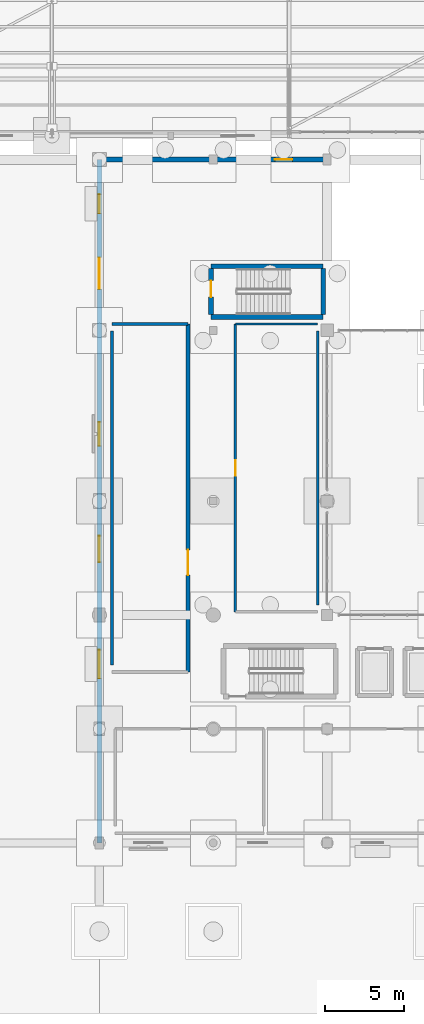
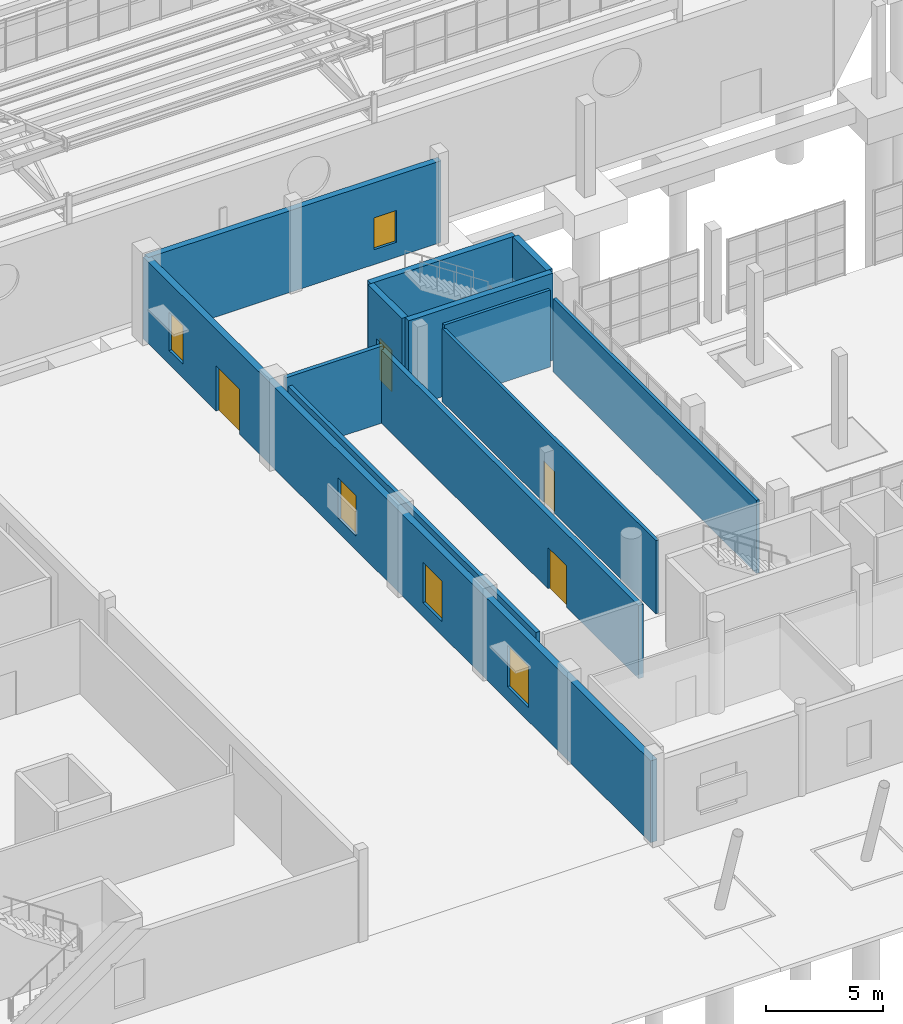
# One storey, part 254 of 285: 12 walls, 5 windows, 4 doors, 9 openings.
"""IFC4 building model written with IfcOpenShell, lengths in metres."""

from ifc_helpers import new_model, si_unit, direction, frame, frame_2d, origin, place, context, subcontext, project, spatial, rectangle, extrude, material, layer, layer_set, type_object, element, fill, save


model = new_model("IFC4")

# Units and contexts
model_context = context("Model", 3, precision=1e-05, world=origin(), true_north=direction((0.0, 1.0)))
body_context = subcontext(model_context, "Body", "Model", "MODEL_VIEW")
ifc_project = project(units=[si_unit("LENGTHUNIT", "METRE"), si_unit("AREAUNIT", "SQUARE_METRE"), si_unit("VOLUMEUNIT", "CUBIC_METRE"), si_unit("PLANEANGLEUNIT", "RADIAN"), si_unit("MASSUNIT", "GRAM", prefix="KILO")], contexts=[model_context])

# Site, building, storey
site_placement = place(None, origin())
site = spatial("IfcSite", under=ifc_project, at=site_placement, CompositionType="ELEMENT")
building_placement = place(site_placement, origin())
building = spatial("IfcBuilding", under=site, at=building_placement, Name="Solanera Park Tramway Depot", CompositionType="ELEMENT")
storey_placement = place(building_placement, origin())
storey = spatial("IfcBuildingStorey", under=building, at=storey_placement, Name="L00", CompositionType="ELEMENT", Elevation=0.0)

# Walls
ifc_material_1 = material(Name="Concrete N32 (C32/40)", Category="concrete")
ifc_layer_1 = layer(ifc_material_1, 0.14990234375)
ifc_layer_set_1 = layer_set([ifc_layer_1], Name="Concrete N32 (C32/40)")
wall_type_1 = type_object("IfcWallType", Name="Acoustic Partition 150", PredefinedType="PARTITIONING", material=ifc_layer_set_1)
wall_1_placement = place(storey_placement, frame((116.60009765625, 43.60009765625, 0.0), z_axis=(0.0, 0.0, 1.0), x_axis=(1.0, 0.0, 0.0)))
element("IfcWall", 1, at=wall_1_placement, inside=storey, type_object=wall_type_1, Name="Crew Bicycle Hub and Changing Lockers Dividing Wall", PredefinedType="PARTITIONING", context=body_context, shape_type="SweptSolid", body=[
    extrude(rectangle(XDim=5.199951171875, YDim=0.14990234375, at=frame_2d((2.60009765625, 0.0))), origin(), (0.0, 0.0, 1.0), 4.0),
])
wall_2_placement = place(storey_placement, frame((121.800048828125, 25.85009765625, 0.0), z_axis=(0.0, 0.0, 1.0), x_axis=(0.0, 1.0, 0.0)))
element("IfcWall", 2, at=wall_2_placement, inside=storey, type_object=wall_type_1, Name="Crew Bicycle Hub and Changing Lockers Dividing Wall", PredefinedType="PARTITIONING", context=body_context, shape_type="SweptSolid", body=[
    extrude(rectangle(XDim=17.2998046875, YDim=0.14990234375, at=frame_2d((8.64990234375, 0.0))), origin(), (0.0, 0.0, 1.0), 3.806884765625),
])

# Wall, opening, door
wall_3_placement = place(storey_placement, frame((116.60009765625, 43.60009765625, 0.0), z_axis=(0.0, 0.0, 1.0), x_axis=(0.0, -1.0, 0.0)))
wall_3 = element("IfcWall", 3, at=wall_3_placement, inside=storey, type_object=wall_type_1, Name="Crew Bicycle Hub and Changing Lockers Corridor Wall", PredefinedType="PARTITIONING", context=body_context, shape_type="SweptSolid", body=[
    extrude(rectangle(XDim=18.2001953125, YDim=0.14990234375, at=frame_2d((9.10009765625, 0.0))), origin(), (0.0, 0.0, 1.0), 3.806884765625),
])
opening_1_placement = place(wall_3_placement, frame((8.614990234375, 0.0, 0.0)))
opening_1 = element("IfcOpeningElement", 4, at=opening_1_placement, cuts=wall_3, Name="Opening ID-O1R", PredefinedType="OPENING", context=body_context, shape_type="SweptSolid", body=[
    extrude(rectangle(XDim=0.969970703125, YDim=2.14990234375, at=frame_2d((0.48486328125, 1.074951171875))), frame((0.0, 0.0849609375, 0.0), z_axis=(0.0, -1.0, 0.0), x_axis=(1.0, 0.0, 0.0)), (0.0, 0.0, 1.0), 0.169921875),
])
ifc_material_2 = material(Name="Fire-rated steel or solid-core hardwood door leaf", Category="steel")
door_type_1 = type_object("IfcDoorType", Name="Office Single Door R 970x2150", OperationType="SINGLE_SWING_RIGHT", PredefinedType="DOOR", material=ifc_material_2)
door_1_placement = place(opening_1_placement, origin())
door_1 = element("IfcDoor", 5, at=door_1_placement, inside=storey, type_object=door_type_1, Name="Crew Bicycle Hub and Changing Lockers Door", OperationType="SINGLE_SWING_RIGHT", OverallHeight=2.14990234375, OverallWidth=0.969970703125, PredefinedType="DOOR", context=body_context, shape_type="SweptSolid", body=[
    extrude(rectangle(XDim=0.969970703125, YDim=2.14990234375, at=frame_2d((0.48486328125, 1.074951171875))), frame((0.0, 0.02490234375, 0.0), z_axis=(0.0, -1.0, 0.0), x_axis=(1.0, 0.0, 0.0)), (0.0, 0.0, 1.0), 0.050048828125),
])
fill(opening_1, door_1)

# Walls
ifc_material_3 = material(Name="Concrete N40 (C40/50)", Category="concrete")
ifc_layer_2 = layer(ifc_material_3, 0.300048828125)
ifc_layer_set_2 = layer_set([ifc_layer_2], Name="Concrete N40 (C40/50)")
wall_type_2 = type_object("IfcWallType", Name="Core Shear Wall 300", PredefinedType="SHEAR", material=ifc_layer_set_2)
for number, where, z_axis, x_axis, name in (
    (6, (115.050048828125, 44.050048828125, 0.0), (0.0, 0.0, 1.0), (1.0, 0.0, 0.0), "ST-07 L00 Shear Core Wall S"),
    (7, (122.14990234375, 47.25, 0.0), (0.0, 0.0, 1.0), (-1.0, 0.0, 0.0), "ST-07 L00 Shear Core Wall N"),
):
    element("IfcWall", number, at=place(storey_placement, frame(where, z_axis=z_axis, x_axis=x_axis)), inside=storey, type_object=wall_type_2, Name=name, PredefinedType="SHEAR", context=body_context, shape_type="SweptSolid", body=[
        extrude(rectangle(XDim=7.099853515625, YDim=0.300048828125, at=frame_2d((3.5498046875, 0.0))), origin(), (0.0, 0.0, 1.0), 4.52490234375),
    ])
wall_4_placement = place(storey_placement, frame((122.14990234375, 44.199951171875, 0.0), z_axis=(0.0, 0.0, 1.0), x_axis=(0.0, 1.0, 0.0)))
element("IfcWall", 8, at=wall_4_placement, inside=storey, type_object=wall_type_2, Name="ST-07 L00 Shear Core Wall E", PredefinedType="SHEAR", context=body_context, shape_type="SweptSolid", body=[
    extrude(rectangle(XDim=2.900146484375, YDim=0.300048828125, at=frame_2d((1.4501953125, 0.0))), origin(), (0.0, 0.0, 1.0), 4.52490234375),
])

# Wall, opening, door
wall_5_placement = place(storey_placement, frame((115.050048828125, 47.10009765625, 0.0), z_axis=(0.0, 0.0, 1.0), x_axis=(0.0, -1.0, 0.0)))
wall_5 = element("IfcWall", 9, at=wall_5_placement, inside=storey, type_object=wall_type_2, Name="ST-07 L00 Shear Core Wall W", PredefinedType="SHEAR", context=body_context, shape_type="SweptSolid", body=[
    extrude(rectangle(XDim=2.900146484375, YDim=0.300048828125, at=frame_2d((1.4501953125, 0.0))), origin(), (0.0, 0.0, 1.0), 4.52490234375),
])
opening_2_placement = place(wall_5_placement, frame((0.75, 0.0, 0.0)))
opening_2 = element("IfcOpeningElement", 10, at=opening_2_placement, cuts=wall_5, Name="Opening FD-S1L", PredefinedType="OPENING", context=body_context, shape_type="SweptSolid", body=[
    extrude(rectangle(XDim=1.050048828125, YDim=2.14990234375, at=frame_2d((0.52490234375, 1.074951171875))), frame((0.0, 0.16015625, 0.0), z_axis=(0.0, -1.0, 0.0), x_axis=(1.0, 0.0, 0.0)), (0.0, 0.0, 1.0), 0.320068359375),
])
ifc_material_4 = material(Name="Fire-rated steel or solid-core hardwood door leaf", Category="steel")
door_type_2 = type_object("IfcDoorType", Name="Stair Fire Door L 1050x2150", OperationType="SINGLE_SWING_LEFT", PredefinedType="DOOR", material=ifc_material_4)
door_2_placement = place(opening_2_placement, frame((1.050048828125, 0.0, 0.0), z_axis=(0.0, 0.0, 1.0), x_axis=(-1.0, 0.0, 0.0)))
door_2 = element("IfcDoor", 11, at=door_2_placement, inside=storey, type_object=door_type_2, Name="ST-07 L00 Stair Fire Door", OperationType="SINGLE_SWING_LEFT", OverallHeight=2.14990234375, OverallWidth=1.050048828125, PredefinedType="DOOR", context=body_context, shape_type="SweptSolid", body=[
    extrude(rectangle(XDim=1.050048828125, YDim=2.14990234375, at=frame_2d((0.52490234375, 1.074951171875))), frame((0.0, 0.02490234375, 0.0), z_axis=(0.0, -1.0, 0.0), x_axis=(1.0, 0.0, 0.0)), (0.0, 0.0, 1.0), 0.050048828125),
])
fill(opening_2, door_2)

# Wall, opening, window
ifc_material_5 = material(Name="Concrete N32 (C32/40)", Category="concrete")
ifc_layer_3 = layer(ifc_material_5, 0.300048828125)
ifc_layer_set_3 = layer_set([ifc_layer_3], Name="Concrete N32 (C32/40)")
wall_type_3 = type_object("IfcWallType", Name="Ext Stucco Wall 300", PredefinedType="SOLIDWALL", material=ifc_layer_set_3)
wall_6_placement = place(storey_placement, frame((122.39990234375, 54.0, 0.0), z_axis=(0.0, 0.0, 1.0), x_axis=(-1.0, 0.0, 0.0)))
wall_6 = element("IfcWall", 12, at=wall_6_placement, inside=storey, type_object=wall_type_3, Name="L00 Exterior Wall #021", PredefinedType="SOLIDWALL", context=body_context, shape_type="SweptSolid", body=[
    extrude(rectangle(XDim=14.39990234375, YDim=0.300048828125, at=frame_2d((7.199951171875, 0.0))), origin(), (0.0, 0.0, 1.0), 4.25),
])
opening_3_placement = place(wall_6_placement, frame((2.199951171875, 0.0, 0.780029296875)))
opening_3 = element("IfcOpeningElement", 13, at=opening_3_placement, cuts=wall_6, Name="Opening WN-C11", PredefinedType="OPENING", context=body_context, shape_type="SweptSolid", body=[
    extrude(rectangle(XDim=1.10009765625, YDim=1.64990234375, at=frame_2d((0.550048828125, 0.824951171875))), frame((0.0, 0.16015625, 0.0), z_axis=(0.0, -1.0, 0.0), x_axis=(1.0, 0.0, 0.0)), (0.0, 0.0, 1.0), 0.320068359375),
])
ifc_material_6 = material(Name="Powder-coated aluminium frame with solar-control double glazing", Category="aluminium")
window_type_1 = type_object("IfcWindowType", Name="Cloister Casement Window 1100x1650", PartitioningType="SINGLE_PANEL", PredefinedType="WINDOW", material=ifc_material_6)
window_1_placement = place(opening_3_placement, origin())
window_1 = element("IfcWindow", 14, at=window_1_placement, inside=storey, type_object=window_type_1, Name="L00 Cloister Casement Window 1100x1650 #0108", OverallHeight=1.64990234375, OverallWidth=1.10009765625, PartitioningType="SINGLE_PANEL", PredefinedType="WINDOW", context=body_context, shape_type="SweptSolid", body=[
    extrude(rectangle(XDim=1.10009765625, YDim=1.64990234375, at=frame_2d((0.550048828125, 0.824951171875))), frame((0.0, 0.030029296875, 0.0), z_axis=(0.0, -1.0, 0.0), x_axis=(1.0, 0.0, 0.0)), (0.0, 0.0, 1.0), 0.06005859375),
])
fill(opening_3, window_1)

# Wall, openings, door, windows
ifc_material_7 = material(Name="Concrete N32 (C32/40)", Category="concrete")
ifc_layer_4 = layer(ifc_material_7, 0.320068359375)
ifc_layer_set_4 = layer_set([ifc_layer_4], Name="Concrete N32 (C32/40)")
wall_type_4 = type_object("IfcWallType", Name="Ext Stucco Wall 320", PredefinedType="SOLIDWALL", material=ifc_layer_set_4)
wall_7_placement = place(storey_placement, frame((108.0, 54.0, 0.0), z_axis=(0.0, 0.0, 1.0), x_axis=(0.0, -1.0, 0.0)))
wall_7 = element("IfcWall", 15, at=wall_7_placement, inside=storey, type_object=wall_type_4, Name="L00 Exterior Wall #020", PredefinedType="SOLIDWALL", context=body_context, shape_type="SweptSolid", body=[
    extrude(rectangle(XDim=43.199951171875, YDim=0.320068359375, at=frame_2d((21.60009765625, 0.0))), origin(), (0.0, 0.0, 1.0), 4.25),
])
opening_4_placement = place(wall_7_placement, frame((2.199951171875, 0.0, 0.719970703125)))
opening_4 = element("IfcOpeningElement", 16, at=opening_4_placement, cuts=wall_7, Name="Opening WN-A12", PredefinedType="OPENING", context=body_context, shape_type="SweptSolid", body=[
    extrude(rectangle(XDim=1.199951171875, YDim=2.0, at=frame_2d((0.60009765625, 1.0))), frame((0.0, 0.169921875, 0.0), z_axis=(0.0, -1.0, 0.0), x_axis=(1.0, 0.0, 0.0)), (0.0, 0.0, 1.0), 0.340087890625),
])
opening_5_placement = place(wall_7_placement, frame((16.60009765625, 0.0, 0.719970703125)))
opening_5 = element("IfcOpeningElement", 17, at=opening_5_placement, cuts=wall_7, Name="Opening WN-A15", PredefinedType="OPENING", context=body_context, shape_type="SweptSolid", body=[
    extrude(rectangle(XDim=1.5, YDim=2.10009765625, at=frame_2d((0.75, 1.050048828125))), frame((0.0, 0.169921875, 0.0), z_axis=(0.0, -1.0, 0.0), x_axis=(1.0, 0.0, 0.0)), (0.0, 0.0, 1.0), 0.340087890625),
])
opening_6_placement = place(wall_7_placement, frame((23.800048828125, 0.0, 0.719970703125)))
opening_6 = element("IfcOpeningElement", 18, at=opening_6_placement, cuts=wall_7, Name="Opening WN-A16", PredefinedType="OPENING", context=body_context, shape_type="SweptSolid", body=[
    extrude(rectangle(XDim=1.64990234375, YDim=2.10009765625, at=frame_2d((0.824951171875, 1.050048828125))), frame((0.0, 0.169921875, 0.0), z_axis=(0.0, -1.0, 0.0), x_axis=(1.0, 0.0, 0.0)), (0.0, 0.0, 1.0), 0.340087890625),
])
opening_7_placement = place(wall_7_placement, frame((31.0, 0.0, 0.719970703125)))
opening_7 = element("IfcOpeningElement", 19, at=opening_7_placement, cuts=wall_7, Name="Opening WN-A18", PredefinedType="OPENING", context=body_context, shape_type="SweptSolid", body=[
    extrude(rectangle(XDim=1.800048828125, YDim=2.14990234375, at=frame_2d((0.89990234375, 1.074951171875))), frame((0.0, 0.169921875, 0.0), z_axis=(0.0, -1.0, 0.0), x_axis=(1.0, 0.0, 0.0)), (0.0, 0.0, 1.0), 0.340087890625),
])
opening_8_placement = place(wall_7_placement, frame((6.199951171875, 0.0, 0.0)))
opening_8 = element("IfcOpeningElement", 20, at=opening_8_placement, cuts=wall_7, Name="Opening ED-01", PredefinedType="OPENING", context=body_context, shape_type="SweptSolid", body=[
    extrude(rectangle(XDim=2.0, YDim=2.35009765625, at=frame_2d((1.0, 1.175048828125))), frame((0.0, 0.169921875, 0.0), z_axis=(0.0, -1.0, 0.0), x_axis=(1.0, 0.0, 0.0)), (0.0, 0.0, 1.0), 0.340087890625),
])
ifc_material_8 = material(Name="Powder-coated aluminium and steel portal leaf", Category="steel")
door_type_3 = type_object("IfcDoorType", Name="Civic Entrance Double Door 2000x2350", OperationType="DOUBLE_SWING_LEFT", PredefinedType="DOOR", material=ifc_material_8)
door_3_placement = place(opening_8_placement, frame((2.0, 0.0, 0.0), z_axis=(0.0, 0.0, 1.0), x_axis=(-1.0, 0.0, 0.0)))
door_3 = element("IfcDoor", 21, at=door_3_placement, inside=storey, type_object=door_type_3, Name="Ground Final Exit Double Door #0042", OperationType="DOUBLE_SWING_LEFT", OverallHeight=2.35009765625, OverallWidth=2.0, PredefinedType="DOOR", context=body_context, shape_type="SweptSolid", body=[
    extrude(rectangle(XDim=2.0, YDim=2.35009765625, at=frame_2d((1.0, 1.175048828125))), frame((0.0, 0.02490234375, 0.0), z_axis=(0.0, -1.0, 0.0), x_axis=(1.0, 0.0, 0.0)), (0.0, 0.0, 1.0), 0.050048828125),
])
fill(opening_8, door_3)
ifc_material_9 = material(Name="Powder-coated aluminium frame with solar-control double glazing", Category="aluminium")
window_type_2 = type_object("IfcWindowType", Name="Deep-Reveal Arched Window 1200x2000", PartitioningType="SINGLE_PANEL", PredefinedType="WINDOW", material=ifc_material_9)
window_2_placement = place(opening_4_placement, origin())
window_2 = element("IfcWindow", 22, at=window_2_placement, inside=storey, type_object=window_type_2, Name="L00 Deep-Reveal Arched Window 1200x2000 #0104", OverallHeight=2.0, OverallWidth=1.199951171875, PartitioningType="SINGLE_PANEL", PredefinedType="WINDOW", context=body_context, shape_type="SweptSolid", body=[
    extrude(rectangle(XDim=1.199951171875, YDim=2.0, at=frame_2d((0.60009765625, 1.0))), frame((0.0, 0.030029296875, 0.0), z_axis=(0.0, -1.0, 0.0), x_axis=(1.0, 0.0, 0.0)), (0.0, 0.0, 1.0), 0.06005859375),
])
fill(opening_4, window_2)
ifc_material_10 = material(Name="Powder-coated aluminium frame with solar-control double glazing", Category="aluminium")
window_type_3 = type_object("IfcWindowType", Name="Deep-Reveal Arched Window 1500x2100", PartitioningType="SINGLE_PANEL", PredefinedType="WINDOW", material=ifc_material_10)
window_3_placement = place(opening_5_placement, origin())
window_3 = element("IfcWindow", 23, at=window_3_placement, inside=storey, type_object=window_type_3, Name="L00 Deep-Reveal Arched Window 1500x2100 #0105", OverallHeight=2.10009765625, OverallWidth=1.5, PartitioningType="SINGLE_PANEL", PredefinedType="WINDOW", context=body_context, shape_type="SweptSolid", body=[
    extrude(rectangle(XDim=1.5, YDim=2.10009765625, at=frame_2d((0.75, 1.050048828125))), frame((0.0, 0.030029296875, 0.0), z_axis=(0.0, -1.0, 0.0), x_axis=(1.0, 0.0, 0.0)), (0.0, 0.0, 1.0), 0.06005859375),
])
fill(opening_5, window_3)
ifc_material_11 = material(Name="Powder-coated aluminium frame with solar-control double glazing", Category="aluminium")
window_type_4 = type_object("IfcWindowType", Name="Deep-Reveal Arched Window 1650x2100", PartitioningType="SINGLE_PANEL", PredefinedType="WINDOW", material=ifc_material_11)
window_4_placement = place(opening_6_placement, origin())
window_4 = element("IfcWindow", 24, at=window_4_placement, inside=storey, type_object=window_type_4, Name="L00 Deep-Reveal Arched Window 1650x2100 #0106", OverallHeight=2.10009765625, OverallWidth=1.64990234375, PartitioningType="SINGLE_PANEL", PredefinedType="WINDOW", context=body_context, shape_type="SweptSolid", body=[
    extrude(rectangle(XDim=1.64990234375, YDim=2.10009765625, at=frame_2d((0.824951171875, 1.050048828125))), frame((0.0, 0.030029296875, 0.0), z_axis=(0.0, -1.0, 0.0), x_axis=(1.0, 0.0, 0.0)), (0.0, 0.0, 1.0), 0.06005859375),
])
fill(opening_6, window_4)
ifc_material_12 = material(Name="Powder-coated aluminium frame with solar-control double glazing", Category="aluminium")
window_type_5 = type_object("IfcWindowType", Name="Deep-Reveal Arched Window 1800x2150", PartitioningType="SINGLE_PANEL", PredefinedType="WINDOW", material=ifc_material_12)
window_5_placement = place(opening_7_placement, origin())
window_5 = element("IfcWindow", 25, at=window_5_placement, inside=storey, type_object=window_type_5, Name="L00 Deep-Reveal Arched Window 1800x2150 #0107", OverallHeight=2.14990234375, OverallWidth=1.800048828125, PartitioningType="SINGLE_PANEL", PredefinedType="WINDOW", context=body_context, shape_type="SweptSolid", body=[
    extrude(rectangle(XDim=1.800048828125, YDim=2.14990234375, at=frame_2d((0.89990234375, 1.074951171875))), frame((0.0, 0.030029296875, 0.0), z_axis=(0.0, -1.0, 0.0), x_axis=(1.0, 0.0, 0.0)), (0.0, 0.0, 1.0), 0.06005859375),
])
fill(opening_7, window_5)

# Walls
ifc_material_13 = material(Name="Concrete N32 (C32/40)", Category="concrete")
ifc_layer_5 = layer(ifc_material_13, 0.199951171875)
ifc_layer_set_5 = layer_set([ifc_layer_5], Name="Concrete N32 (C32/40)")
wall_type_5 = type_object("IfcWallType", Name="Fire Compartment Wall 200", PredefinedType="SOLIDWALL", material=ifc_layer_set_5)
wall_8_placement = place(storey_placement, frame((108.800048828125, 43.60009765625, 0.0), z_axis=(0.0, 0.0, 1.0), x_axis=(1.0, 0.0, 0.0)))
element("IfcWall", 26, at=wall_8_placement, inside=storey, type_object=wall_type_5, Name="Way and Overhead Line Maintenance Store Dividing Wall", PredefinedType="SOLIDWALL", context=body_context, shape_type="SweptSolid", body=[
    extrude(rectangle(XDim=4.800048828125, YDim=0.199951171875, at=frame_2d((2.39990234375, 0.0))), origin(), (0.0, 0.0, 1.0), 4.0),
])
wall_9_placement = place(storey_placement, frame((108.800048828125, 43.14990234375, 0.0), z_axis=(0.0, 0.0, 1.0), x_axis=(0.0, -1.0, 0.0)))
element("IfcWall", 27, at=wall_9_placement, inside=storey, type_object=wall_type_5, Name="Way and Overhead Line Maintenance Store Dividing Wall", PredefinedType="SOLIDWALL", context=body_context, shape_type="SweptSolid", body=[
    extrude(rectangle(XDim=21.099853515625, YDim=0.199951171875, at=frame_2d((10.5498046875, 0.0))), origin(), (0.0, 0.0, 1.0), 3.806884765625),
])

# Wall, opening, door
ifc_material_14 = material(Name="Concrete N32 (C32/40)", Category="concrete")
ifc_layer_6 = layer(ifc_material_14, 0.239990234375)
ifc_layer_set_6 = layer_set([ifc_layer_6], Name="Concrete N32 (C32/40)")
wall_type_6 = type_object("IfcWallType", Name="Inter-Class Fire Wall 240", PredefinedType="SOLIDWALL", material=ifc_layer_set_6)
wall_10_placement = place(storey_placement, frame((113.60009765625, 21.60009765625, 0.0), z_axis=(0.0, 0.0, 1.0), x_axis=(0.0, 1.0, 0.0)))
wall_10 = element("IfcWall", 28, at=wall_10_placement, inside=storey, type_object=wall_type_6, Name="Way and Overhead Line Maintenance Store Corridor Wall", PredefinedType="SOLIDWALL", context=body_context, shape_type="SweptSolid", body=[
    extrude(rectangle(XDim=22.0, YDim=0.239990234375, at=frame_2d((11.0, 0.0))), origin(), (0.0, 0.0, 1.0), 3.806884765625),
])
opening_9_placement = place(wall_10_placement, frame((6.1201171875, 0.0, 0.0)))
opening_9 = element("IfcOpeningElement", 29, at=opening_9_placement, cuts=wall_10, Name="Opening FD-K2D", PredefinedType="OPENING", context=body_context, shape_type="SweptSolid", body=[
    extrude(rectangle(XDim=1.60009765625, YDim=2.14990234375, at=frame_2d((0.800048828125, 1.074951171875))), frame((0.0, 0.1298828125, 0.0), z_axis=(0.0, -1.0, 0.0), x_axis=(1.0, 0.0, 0.0)), (0.0, 0.0, 1.0), 0.260009765625),
])
ifc_material_15 = material(Name="Fire-rated steel or solid-core hardwood door leaf", Category="steel")
door_type_4 = type_object("IfcDoorType", Name="Store Double Fire Door 1600x2150", OperationType="DOUBLE_SWING_RIGHT", PredefinedType="DOOR", material=ifc_material_15)
door_4_placement = place(opening_9_placement, origin())
door_4 = element("IfcDoor", 30, at=door_4_placement, inside=storey, type_object=door_type_4, Name="Way and Overhead Line Maintenance Store Door", OperationType="DOUBLE_SWING_RIGHT", OverallHeight=2.14990234375, OverallWidth=1.60009765625, PredefinedType="DOOR", context=body_context, shape_type="SweptSolid", body=[
    extrude(rectangle(XDim=1.60009765625, YDim=2.14990234375, at=frame_2d((0.800048828125, 1.074951171875))), frame((0.0, 0.02490234375, 0.0), z_axis=(0.0, -1.0, 0.0), x_axis=(1.0, 0.0, 0.0)), (0.0, 0.0, 1.0), 0.050048828125),
])
fill(opening_9, door_4)

save(model, "model.ifc")
